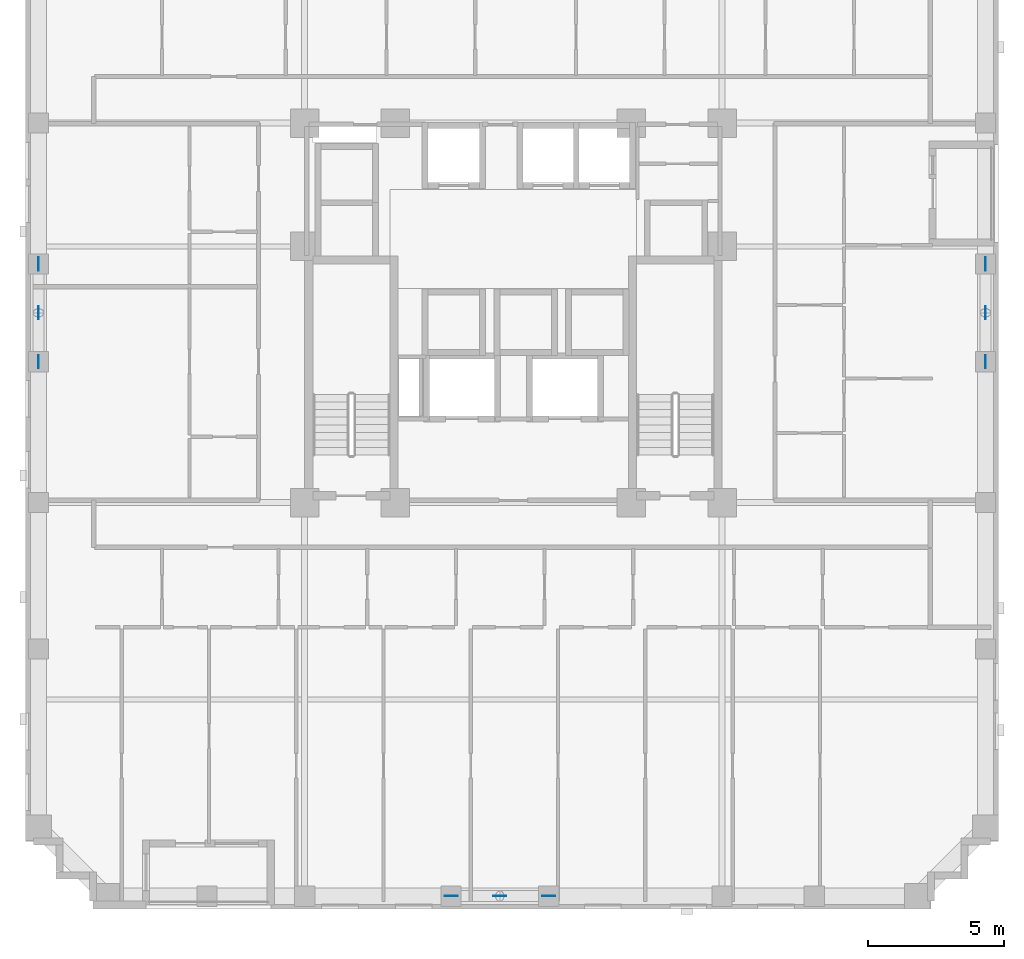
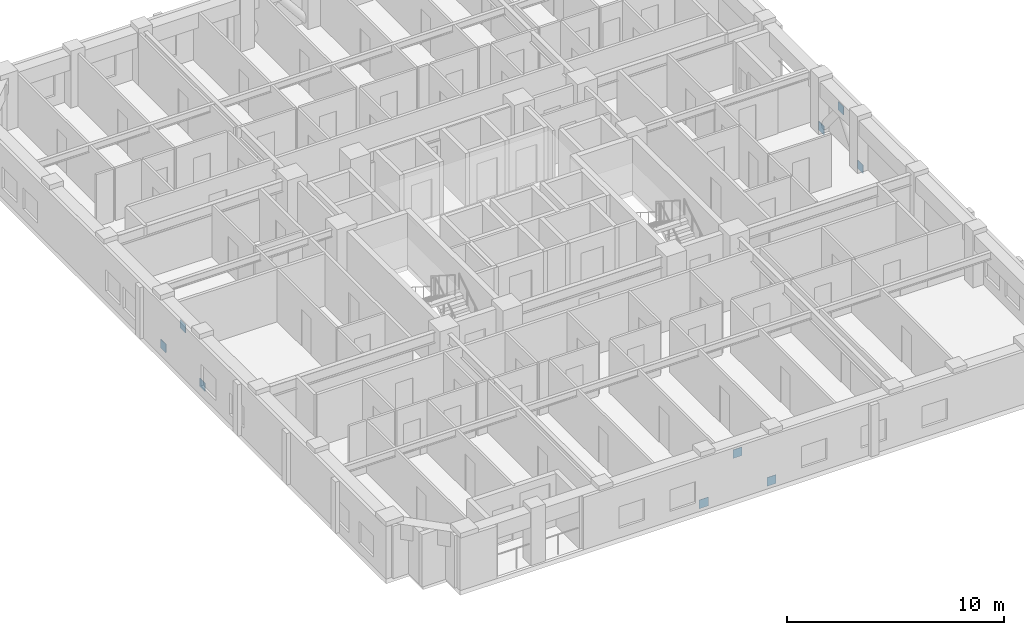
# One storey, part 10 of 13: 9 discrete accessories.
"""IFC4 building model written with IfcOpenShell, lengths in metres."""

from ifc_helpers import new_model, si_unit, derived_unit, direction, frame, origin, origin_2d, place, context, subcontext, project, spatial, rectangle, extrude, material, layer, layer_set, type_object, element, save


model = new_model("IFC4")

# Units and contexts
model_context = context("Model", 3, precision=1e-05, world=origin(), true_north=direction((0.0, 1.0)))
body_context = subcontext(model_context, "Body", "Model", "MODEL_VIEW")
ifc_project = project(units=[si_unit("LENGTHUNIT", "METRE"), si_unit("AREAUNIT", "SQUARE_METRE"), si_unit("VOLUMEUNIT", "CUBIC_METRE"), si_unit("PLANEANGLEUNIT", "RADIAN"), si_unit("MASSUNIT", "GRAM", prefix="KILO"), derived_unit("THERMALTRANSMITTANCEUNIT", [(si_unit("MASSUNIT", "GRAM", prefix="KILO"), 1), (si_unit("TIMEUNIT", "SECOND"), -3), (si_unit("THERMODYNAMICTEMPERATUREUNIT", "KELVIN"), -1)])], contexts=[model_context])

# Site, building, storey
site_placement = place(None, origin())
site = spatial("IfcSite", under=ifc_project, at=site_placement, CompositionType="ELEMENT")
building_placement = place(site_placement, origin())
building = spatial("IfcBuilding", under=site, at=building_placement, Name="Korrvale Station Residences", CompositionType="ELEMENT")
storey_placement = place(building_placement, frame((0.0, 0.0, 100.699951171875)))
storey = spatial("IfcBuildingStorey", under=building, at=storey_placement, Name="L28", CompositionType="ELEMENT", Elevation=100.699951171875)

# Discrete accessories
ifc_material = material(Name="Steel S355", Category="steel")
ifc_layer = layer(ifc_material, 0.02490234375, Name="Steel S355")
ifc_layer_set = layer_set([ifc_layer], Name="Steel S355")
discrete_accessory_type = type_object("IfcDiscreteAccessoryType", Name="ACC-GUSSET-25", PredefinedType="BRACKET", material=ifc_layer_set)
for number, where, z_axis, x_axis, name in (
    (1, (23.199951171875, 0.47998046875, -0.219970703125), (0.0, 0.0, 1.0), (1.0, 0.0, 0.0), "L28 S Brace End Gusset Connection A"),
    (2, (26.800048828125, 0.47998046875, -0.219970703125), (0.0, 0.0, 1.0), (1.0, 0.0, 0.0), "L28 S Brace End Gusset Connection B"),
    (3, (25.0, 0.47998046875, 1.969970703125), (0.0, 0.0, 1.0), (1.0, 0.0, 0.0), "L28 S Brace End Gusset Connection M"),
    (4, (7.97998046875, 20.199951171875, -0.219970703125), (0.0, 0.0, 1.0), (0.0, 1.0, 0.0), "L28 W Brace End Gusset Connection A"),
    (5, (7.97998046875, 23.800048828125, -0.219970703125), (0.0, 0.0, 1.0), (0.0, 1.0, 0.0), "L28 W Brace End Gusset Connection B"),
    (6, (7.97998046875, 22.0, 1.969970703125), (0.0, 0.0, 1.0), (0.0, 1.0, 0.0), "L28 W Brace End Gusset Connection M"),
    (7, (42.919921875, 20.199951171875, -0.219970703125), (0.0, 0.0, 1.0), (0.0, 1.0, 0.0), "L28 E Brace End Gusset Connection A"),
    (8, (42.919921875, 23.800048828125, -0.219970703125), (0.0, 0.0, 1.0), (0.0, 1.0, 0.0), "L28 E Brace End Gusset Connection B"),
    (9, (42.919921875, 22.0, 1.969970703125), (0.0, 0.0, 1.0), (0.0, 1.0, 0.0), "L28 E Brace End Gusset Connection M"),
):
    element("IfcDiscreteAccessory", number, at=place(storey_placement, frame(where, z_axis=z_axis, x_axis=x_axis)), inside=storey, type_object=discrete_accessory_type, Name=name, PredefinedType="BRACKET", context=body_context, shape_type="SweptSolid", body=[
        extrude(rectangle(XDim=0.47998046875, YDim=0.02490234375, at=origin_2d()), origin(), (0.0, 0.0, 1.0), 0.47998046875),
    ])

save(model, "model.ifc")
